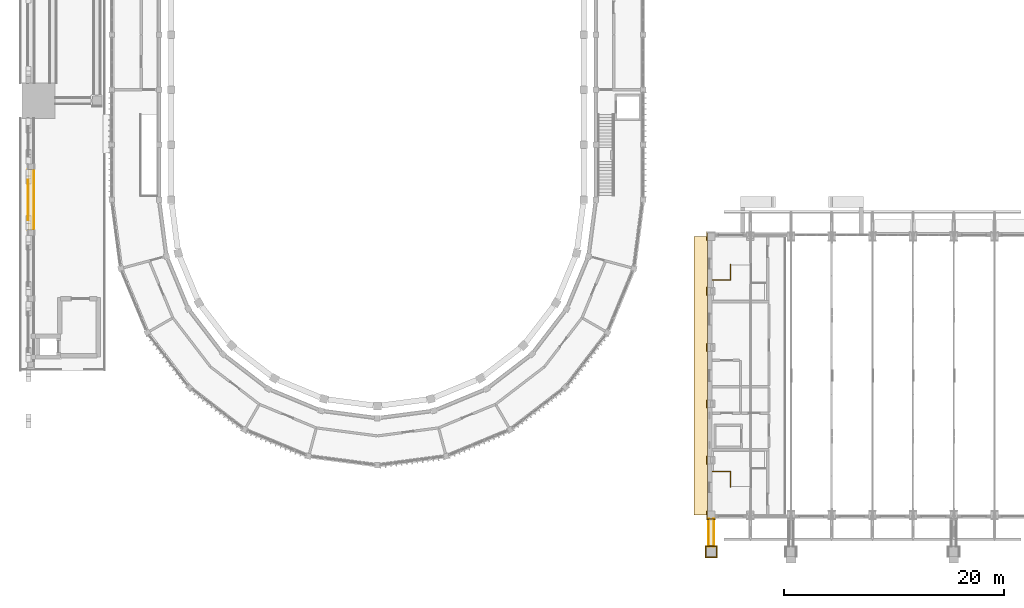
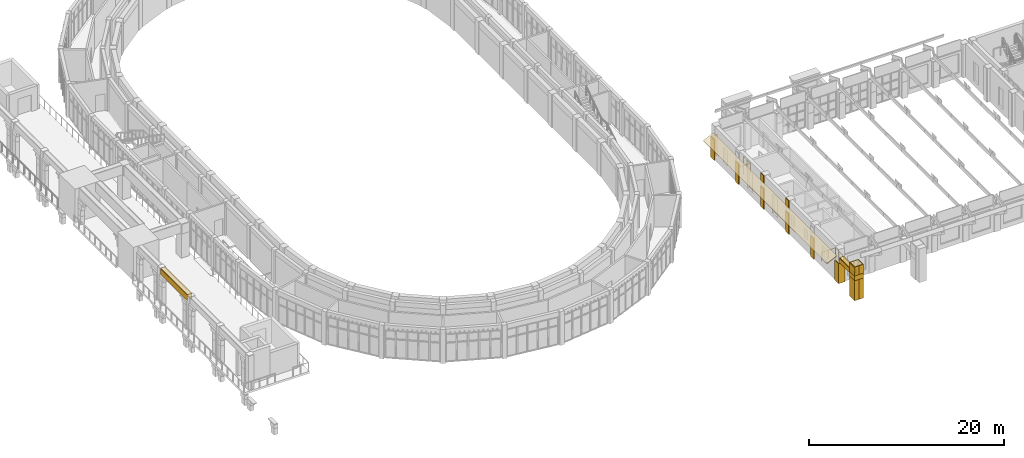
# One storey, part 84 of 99: 20 coverings, 2 railings.
"""IFC4 building model written with IfcOpenShell, lengths in metres."""

from ifc_helpers import new_model, si_unit, direction, frame, origin, origin_2d, place, context, subcontext, project, spatial, polyline, circle, outline, extrude, material, layer, layer_set, type_object, element, save


model = new_model("IFC4")

# Units and contexts
model_context = context("Model", 3, precision=1e-05, world=origin(), true_north=direction((0.0, 1.0)))
body_context = subcontext(model_context, "Body", "Model", "MODEL_VIEW")
ifc_project = project(units=[si_unit("LENGTHUNIT", "METRE"), si_unit("AREAUNIT", "SQUARE_METRE"), si_unit("VOLUMEUNIT", "CUBIC_METRE"), si_unit("PLANEANGLEUNIT", "RADIAN"), si_unit("MASSUNIT", "GRAM", prefix="KILO")], contexts=[model_context])

# Site, building, storey
site_placement = place(None, origin())
site = spatial("IfcSite", under=ifc_project, at=site_placement, CompositionType="ELEMENT")
building_placement = place(site_placement, origin())
building = spatial("IfcBuilding", under=site, at=building_placement, Name="Wasatch Bagh Community Centre", CompositionType="ELEMENT")
storey_placement = place(building_placement, frame((0.0, 0.0, 4.199951171875)))
storey = spatial("IfcBuildingStorey", under=building, at=storey_placement, Name="L01", CompositionType="ELEMENT", Elevation=4.199951171875)

# Coverings
ifc_material_1 = material(Name="Cast stone cladding", Category="masonry")
ifc_layer_1 = layer(ifc_material_1, 0.080078125)
ifc_layer_set_1 = layer_set([ifc_layer_1], Name="Cast stone cladding")
covering_type_1 = type_object("IfcCoveringType", Name="CL-B7 beam facing", PredefinedType="CLADDING", material=ifc_layer_set_1)
covering_1_placement = place(storey_placement, frame((0.0, 0.0, 3.5)))
element("IfcCovering", 1, at=covering_1_placement, inside=storey, type_object=covering_type_1, Name="Beam facing", PredefinedType="CLADDING", context=body_context, shape_type="SweptSolid", body=[
    extrude(outline(polyline([(4.300048828125, 32.25), (4.300048828125, 37.75), (4.219970703125, 37.75), (4.219970703125, 32.25), (4.300048828125, 32.25)])), origin(), (0.0, 0.0, 1.0), 0.699951171875),
])
covering_2_placement = place(storey_placement, frame((0.0, 0.0, 3.5)))
element("IfcCovering", 2, at=covering_2_placement, inside=storey, type_object=covering_type_1, Name="Beam facing", PredefinedType="CLADDING", context=body_context, shape_type="SweptSolid", body=[
    extrude(outline(polyline([(4.699951171875, 32.25), (4.699951171875, 37.75), (4.780029296875, 37.75), (4.780029296875, 32.25), (4.699951171875, 32.25)])), origin(), (0.0, 0.0, 1.0), 0.699951171875),
])
covering_3_placement = place(storey_placement, frame((0.0, 0.0, 4.199951171875)))
element("IfcCovering", 3, at=covering_3_placement, inside=storey, type_object=covering_type_1, Name="Beam facing", PredefinedType="CLADDING", context=body_context, shape_type="SweptSolid", body=[
    extrude(outline(polyline([(4.780029296875, 32.25), (4.780029296875, 37.75), (4.219970703125, 37.75), (4.219970703125, 32.25), (4.780029296875, 32.25)])), origin(), (0.0, 0.0, 1.0), 0.080078125),
])
covering_4_placement = place(storey_placement, frame((0.0, 0.0, 2.5)))
element("IfcCovering", 4, at=covering_4_placement, inside=storey, type_object=covering_type_1, Name="Beam facing", PredefinedType="CLADDING", context=body_context, shape_type="SweptSolid", body=[
    extrude(outline(polyline([(66.52490234375, 6.0), (66.52490234375, 3.449951171875), (66.60498046875, 3.449951171875), (66.60498046875, 6.0), (66.52490234375, 6.0)])), origin(), (0.0, 0.0, 1.0), 0.60009765625),
])
covering_5_placement = place(storey_placement, frame((0.0, 0.0, 2.5)))
element("IfcCovering", 5, at=covering_5_placement, inside=storey, type_object=covering_type_1, Name="Beam facing", PredefinedType="CLADDING", context=body_context, shape_type="SweptSolid", body=[
    extrude(outline(polyline([(66.175048828125, 6.0), (66.175048828125, 3.449951171875), (66.094970703125, 3.449951171875), (66.094970703125, 6.0), (66.175048828125, 6.0)])), origin(), (0.0, 0.0, 1.0), 0.60009765625),
])
covering_6_placement = place(storey_placement, frame((0.0, 0.0, 3.10009765625)))
element("IfcCovering", 6, at=covering_6_placement, inside=storey, type_object=covering_type_1, Name="Beam facing", PredefinedType="CLADDING", context=body_context, shape_type="SweptSolid", body=[
    extrude(outline(polyline([(66.094970703125, 6.0), (66.094970703125, 3.449951171875), (66.60498046875, 3.449951171875), (66.60498046875, 6.0), (66.094970703125, 6.0)])), origin(), (0.0, 0.0, 1.0), 0.079833984375),
])
ifc_layer_2 = layer(ifc_material_1, 0.080078125)
ifc_layer_set_2 = layer_set([ifc_layer_2], Name="Cast stone cladding")
covering_type_2 = type_object("IfcCoveringType", Name="CL-C1 column facing", PredefinedType="CLADDING", material=ifc_layer_set_2)
covering_7_placement = place(storey_placement, origin())
element("IfcCovering", 7, at=covering_7_placement, inside=storey, type_object=covering_type_2, Name="Column facing", PredefinedType="CLADDING", context=body_context, shape_type="SweptSolid", body=[
    extrude(outline(polyline([(66.35009765625, 3.530029296875), (66.35009765625, 3.449951171875), (65.89990234375, 3.449951171875), (65.89990234375, 2.550048828125), (66.35009765625, 2.550048828125), (66.35009765625, 2.469970703125), (65.820068359375, 2.469970703125), (65.820068359375, 3.530029296875), (66.35009765625, 3.530029296875)])), origin(), (0.0, 0.0, 1.0), 2.5),
])
covering_8_placement = place(storey_placement, origin())
element("IfcCovering", 8, at=covering_8_placement, inside=storey, type_object=covering_type_2, Name="Column facing", PredefinedType="CLADDING", context=body_context, shape_type="SweptSolid", body=[
    extrude(outline(polyline([(66.8798828125, 3.530029296875), (66.8798828125, 2.469970703125), (66.35009765625, 2.469970703125), (66.35009765625, 2.550048828125), (66.800048828125, 2.550048828125), (66.800048828125, 3.449951171875), (66.35009765625, 3.449951171875), (66.35009765625, 3.530029296875), (66.8798828125, 3.530029296875)])), origin(), (0.0, 0.0, 1.0), 2.5),
])
covering_9_placement = place(storey_placement, frame((0.0, 0.0, 2.5)))
element("IfcCovering", 9, at=covering_9_placement, inside=storey, type_object=covering_type_2, Name="Column facing", PredefinedType="CLADDING", context=body_context, shape_type="SweptSolid", body=[
    extrude(outline(polyline([(65.820068359375, 2.469970703125), (65.820068359375, 3.449951171875), (65.89990234375, 3.449951171875), (65.89990234375, 2.550048828125), (66.800048828125, 2.550048828125), (66.800048828125, 3.449951171875), (66.8798828125, 3.449951171875), (66.8798828125, 2.469970703125), (65.820068359375, 2.469970703125)])), origin(), (0.0, 0.0, 1.0), 0.60009765625),
])
covering_10_placement = place(storey_placement, frame((0.0, 0.0, 3.10009765625)))
element("IfcCovering", 10, at=covering_10_placement, inside=storey, type_object=covering_type_2, Name="Column facing", PredefinedType="CLADDING", context=body_context, shape_type="SweptSolid", body=[
    extrude(outline(polyline([(66.35009765625, 3.530029296875), (66.35009765625, 3.449951171875), (65.89990234375, 3.449951171875), (65.89990234375, 2.550048828125), (66.35009765625, 2.550048828125), (66.35009765625, 2.469970703125), (65.820068359375, 2.469970703125), (65.820068359375, 3.530029296875), (66.35009765625, 3.530029296875)])), origin(), (0.0, 0.0, 1.0), 1.099853515625),
])
covering_11_placement = place(storey_placement, frame((0.0, 0.0, 3.10009765625)))
element("IfcCovering", 11, at=covering_11_placement, inside=storey, type_object=covering_type_2, Name="Column facing", PredefinedType="CLADDING", context=body_context, shape_type="SweptSolid", body=[
    extrude(outline(polyline([(66.8798828125, 3.530029296875), (66.8798828125, 2.469970703125), (66.35009765625, 2.469970703125), (66.35009765625, 2.550048828125), (66.800048828125, 2.550048828125), (66.800048828125, 3.449951171875), (66.35009765625, 3.449951171875), (66.35009765625, 3.530029296875), (66.8798828125, 3.530029296875)])), origin(), (0.0, 0.0, 1.0), 1.099853515625),
])
covering_12_placement = place(storey_placement, origin())
element("IfcCovering", 12, at=covering_12_placement, inside=storey, type_object=covering_type_2, Name="Column facing", PredefinedType="CLADDING", context=body_context, shape_type="SweptSolid", body=[
    extrude(outline(polyline([(65.919921875, 5.919921875), (65.919921875, 6.699951171875), (66.0, 6.699951171875), (66.0, 6.0), (66.699951171875, 6.0), (66.699951171875, 5.919921875), (65.919921875, 5.919921875)])), origin(), (0.0, 0.0, 1.0), 2.5),
])
covering_13_placement = place(storey_placement, origin())
element("IfcCovering", 13, at=covering_13_placement, inside=storey, type_object=covering_type_2, Name="Column facing", PredefinedType="CLADDING", context=body_context, shape_type="SweptSolid", body=[
    extrude(outline(polyline([(66.0, 31.300048828125), (65.919921875, 31.300048828125), (65.919921875, 32.080078125), (66.699951171875, 32.080078125), (66.699951171875, 32.0), (66.0, 32.0), (66.0, 31.300048828125)])), origin(), (0.0, 0.0, 1.0), 2.570556640625),
])
covering_14_placement = place(storey_placement, origin())
element("IfcCovering", 14, at=covering_14_placement, inside=storey, type_object=covering_type_2, Name="Column facing", PredefinedType="CLADDING", context=body_context, shape_type="SweptSolid", body=[
    extrude(outline(polyline([(66.0, 11.669921875), (66.0, 10.969970703125), (65.919921875, 10.969970703125), (65.919921875, 11.669921875), (66.0, 11.669921875)])), origin(), (0.0, 0.0, 1.0), 2.570556640625),
])
covering_15_placement = place(storey_placement, origin())
element("IfcCovering", 15, at=covering_15_placement, inside=storey, type_object=covering_type_2, Name="Column facing", PredefinedType="CLADDING", context=body_context, shape_type="SweptSolid", body=[
    extrude(outline(polyline([(66.0, 16.7900390625), (66.0, 16.090087890625), (65.919921875, 16.090087890625), (65.919921875, 16.7900390625), (66.0, 16.7900390625)])), origin(), (0.0, 0.0, 1.0), 2.570556640625),
])
covering_16_placement = place(storey_placement, frame((0.0, 0.0, 3.25)))
element("IfcCovering", 16, at=covering_16_placement, inside=storey, type_object=covering_type_2, Name="Column facing", PredefinedType="CLADDING", context=body_context, shape_type="SweptSolid", body=[
    extrude(outline(polyline([(66.0, 16.7900390625), (66.0, 16.090087890625), (65.919921875, 16.090087890625), (65.919921875, 16.7900390625), (66.0, 16.7900390625)])), origin(), (0.0, 0.0, 1.0), 0.949951171875),
])
covering_17_placement = place(storey_placement, origin())
element("IfcCovering", 17, at=covering_17_placement, inside=storey, type_object=covering_type_2, Name="Column facing", PredefinedType="CLADDING", context=body_context, shape_type="SweptSolid", body=[
    extrude(outline(polyline([(66.0, 21.909912109375), (66.0, 21.2099609375), (65.919921875, 21.2099609375), (65.919921875, 21.909912109375), (66.0, 21.909912109375)])), origin(), (0.0, 0.0, 1.0), 2.570556640625),
])
covering_18_placement = place(storey_placement, frame((0.0, 0.0, 3.25)))
element("IfcCovering", 18, at=covering_18_placement, inside=storey, type_object=covering_type_2, Name="Column facing", PredefinedType="CLADDING", context=body_context, shape_type="SweptSolid", body=[
    extrude(outline(polyline([(66.0, 21.909912109375), (66.0, 21.2099609375), (65.919921875, 21.2099609375), (65.919921875, 21.909912109375), (66.0, 21.909912109375)])), origin(), (0.0, 0.0, 1.0), 0.949951171875),
])
covering_19_placement = place(storey_placement, origin())
element("IfcCovering", 19, at=covering_19_placement, inside=storey, type_object=covering_type_2, Name="Column facing", PredefinedType="CLADDING", context=body_context, shape_type="SweptSolid", body=[
    extrude(outline(polyline([(66.0, 27.030029296875), (66.0, 26.330078125), (65.919921875, 26.330078125), (65.919921875, 27.030029296875), (66.0, 27.030029296875)])), origin(), (0.0, 0.0, 1.0), 2.570556640625),
])
ifc_material_2 = material(Name="Glass-fibre reinforced concrete", Category="concrete")
ifc_layer_3 = layer(ifc_material_2, 0.1201171875)
ifc_layer_set_3 = layer_set([ifc_layer_3], Name="Glass-fibre reinforced concrete")
covering_type_3 = type_object("IfcCoveringType", Name="DH chhajja band 120", PredefinedType="CLADDING", material=ifc_layer_set_3)
covering_20_placement = place(storey_placement, frame((66.0, 6.35009765625, 3.25), z_axis=(-0.422633083665, 0.0, 0.906300875312), x_axis=(0.0, 1.0, 0.0)))
element("IfcCovering", 20, at=covering_20_placement, inside=storey, type_object=covering_type_3, Name="Chhajja band W", PredefinedType="CLADDING", context=body_context, shape_type="SweptSolid", body=[
    extrude(outline(polyline([(0.0, 0.0), (25.2998046875, 0.0), (25.2998046875, 1.3240097241015767), (0.0, 1.3240097241015767), (0.0, 0.0)])), origin(), (0.0, 0.0, -1.0), 0.1201171875),
])

# Railings
ifc_material_3 = material(Name="ASTM A36 steel", Category="steel")
railing_type = type_object("IfcRailingType", Name="DH guard", PredefinedType="GUARDRAIL", material=ifc_material_3)
railing_1_placement = place(storey_placement, frame((66.449951171875, 10.30810546875, 0.0)))
element("IfcRailing", 21, at=railing_1_placement, inside=storey, type_object=railing_type, Name="GUARD ST6", PredefinedType="GUARDRAIL", context=body_context, shape_type="SweptSolid", body=[
    extrude(circle(Radius=0.02392578125, at=origin_2d()), frame((0.0, 0.0, 1.076171875), z_axis=(1.0, 0.0, 0.0), x_axis=(0.0, 1.0, 0.0)), (0.0, 0.0, 1.0), 1.650146484375),
    extrude(circle(Radius=0.02392578125, at=origin_2d()), frame((1.650146484375, 0.0, 1.076171875), z_axis=(0.0, -1.0, 0.0), x_axis=(1.0, 0.0, 0.0)), (0.0, 0.0, 1.0), 1.43798828125),
    extrude(circle(Radius=0.02099609375, at=origin_2d()), origin(), (0.0, 0.0, 1.0), 1.052001953125),
    extrude(circle(Radius=0.02099609375, at=origin_2d()), frame((0.8251953125, 0.0, 0.0)), (0.0, 0.0, 1.0), 1.052001953125),
    extrude(circle(Radius=0.02099609375, at=origin_2d()), frame((1.650146484375, 0.0, 0.0)), (0.0, 0.0, 1.0), 1.052001953125),
    extrude(circle(Radius=0.02099609375, at=origin_2d()), frame((1.650146484375, -0.718994140625, 0.0)), (0.0, 0.0, 1.0), 1.052001953125),
    extrude(circle(Radius=0.02099609375, at=origin_2d()), frame((1.650146484375, -1.43798828125, 0.0)), (0.0, 0.0, 1.0), 1.052001953125),
])
railing_2_placement = place(storey_placement, frame((66.449951171875, 27.69189453125, 0.0)))
element("IfcRailing", 22, at=railing_2_placement, inside=storey, type_object=railing_type, Name="GUARD ST7", PredefinedType="GUARDRAIL", context=body_context, shape_type="SweptSolid", body=[
    extrude(circle(Radius=0.02392578125, at=origin_2d()), frame((0.0, 0.0, 1.076171875), z_axis=(1.0, 0.0, 0.0), x_axis=(0.0, 1.0, 0.0)), (0.0, 0.0, 1.0), 1.650146484375),
    extrude(circle(Radius=0.02392578125, at=origin_2d()), frame((1.650146484375, 0.0, 1.076171875), z_axis=(0.0, 1.0, 0.0), x_axis=(-1.0, 0.0, 0.0)), (0.0, 0.0, 1.0), 1.43798828125),
    extrude(circle(Radius=0.02099609375, at=origin_2d()), origin(), (0.0, 0.0, 1.0), 1.052001953125),
    extrude(circle(Radius=0.02099609375, at=origin_2d()), frame((0.8251953125, 0.0, 0.0)), (0.0, 0.0, 1.0), 1.052001953125),
    extrude(circle(Radius=0.02099609375, at=origin_2d()), frame((1.650146484375, 0.0, 0.0)), (0.0, 0.0, 1.0), 1.052001953125),
    extrude(circle(Radius=0.02099609375, at=origin_2d()), frame((1.650146484375, 0.718994140625, 0.0)), (0.0, 0.0, 1.0), 1.052001953125),
    extrude(circle(Radius=0.02099609375, at=origin_2d()), frame((1.650146484375, 1.43798828125, 0.0)), (0.0, 0.0, 1.0), 1.052001953125),
])

save(model, "model.ifc")
